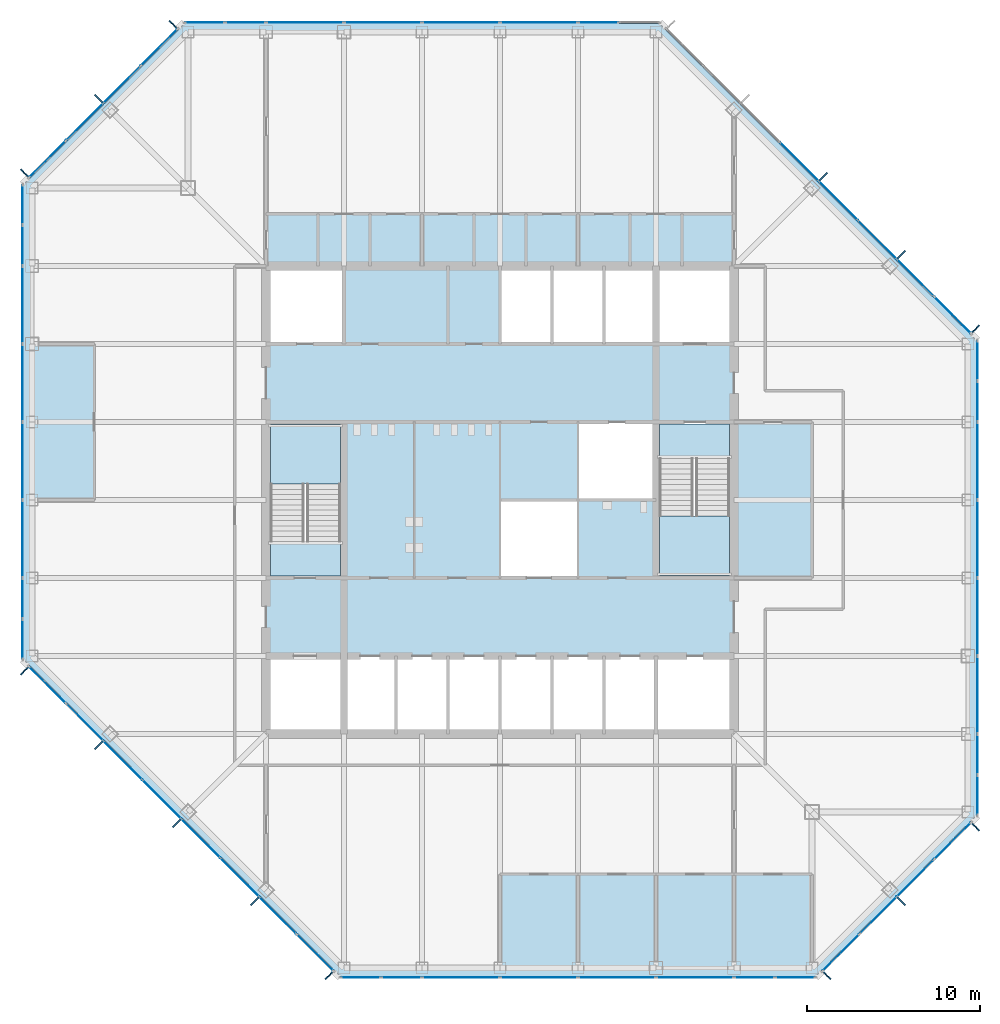
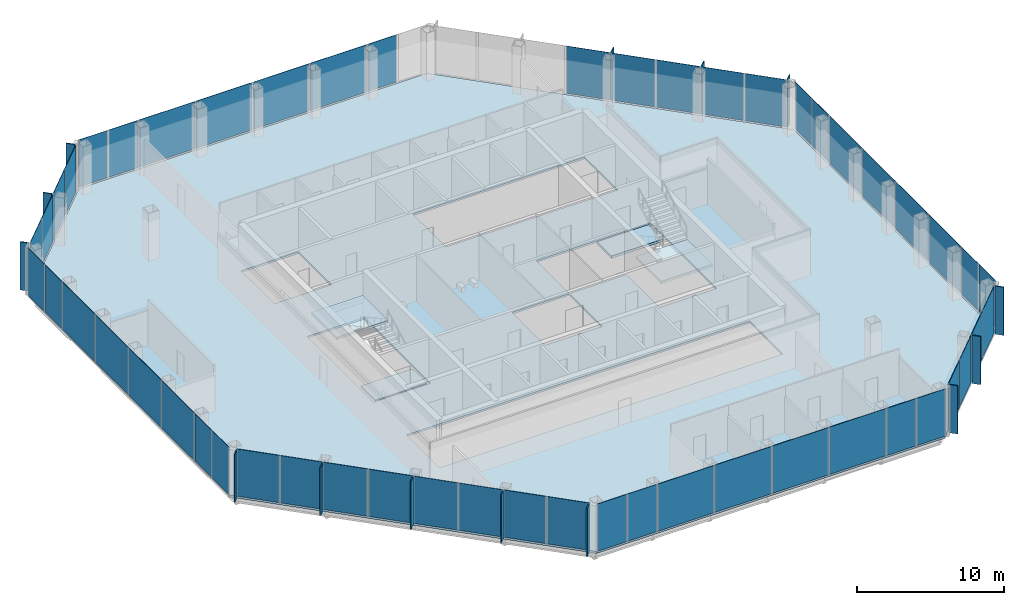
# One storey, part 7 of 12: 66 plates, 5 slabs, 10 elements without a shape of their own.
"""IFC4 building model written with IfcOpenShell, lengths in metres."""

from ifc_helpers import new_model, si_unit, direction, frame, origin, origin_2d, place, context, subcontext, project, spatial, polyline, rectangle, outline, extrude, material, layer, layer_set, type_object, element, aggregate, save


model = new_model("IFC4")

# Units and contexts
model_context = context("Model", 3, precision=1e-05, world=origin(), true_north=direction((0.0, 1.0)))
body_context = subcontext(model_context, "Body", "Model", "MODEL_VIEW")
ifc_project = project(units=[si_unit("LENGTHUNIT", "METRE"), si_unit("AREAUNIT", "SQUARE_METRE"), si_unit("VOLUMEUNIT", "CUBIC_METRE"), si_unit("PLANEANGLEUNIT", "RADIAN"), si_unit("MASSUNIT", "GRAM", prefix="KILO")], contexts=[model_context])

# Site, building, storey
site_placement = place(None, origin())
site = spatial("IfcSite", under=ifc_project, at=site_placement, CompositionType="ELEMENT")
building_placement = place(site_placement, origin())
building = spatial("IfcBuilding", under=site, at=building_placement, Name="Corais Broadcast Tower", CompositionType="ELEMENT")
storey_placement = place(building_placement, frame((0.0, 0.0, 163.60009765625)))
storey = spatial("IfcBuildingStorey", under=building, at=storey_placement, Name="L37", CompositionType="ELEMENT", Elevation=163.60009765625)

# Slab
ifc_material_1 = material(Name="Concrete C30/37", Category="concrete")
ifc_layer_1 = layer(ifc_material_1, 0.159912109375)
ifc_layer_set_1 = layer_set([ifc_layer_1], Name="Concrete C30/37")
slab_type_1 = type_object("IfcSlabType", Name="Composite floor slab 160", PredefinedType="FLOOR", material=ifc_layer_set_1)
slab_1_placement = place(storey_placement, frame((0.0, 0.0, -0.16015625)))
element("IfcSlab", 1, at=slab_1_placement, inside=storey, type_object=slab_type_1, Name="S160 floor slab L37", PredefinedType="FLOOR", context=body_context, shape_type="SweptSolid", body=[
    extrude(outline(polyline([(17.80126953125, -0.47998046875), (-0.47998046875, 17.80126953125), (-0.47998046875, 45.19873046875), (8.80126953125, 54.47998046875), (36.19873046875, 54.47998046875), (54.47998046875, 36.19873046875), (54.47998046875, 8.80126953125), (45.19873046875, -0.47998046875), (17.80126953125, -0.47998046875)]), holes=[polyline([(13.5, 18.0), (40.5, 18.0), (40.5, 13.5), (13.5, 13.5), (13.5, 18.0)]), polyline([(18.0, 22.5), (13.5, 22.5), (13.5, 31.5), (18.0, 31.5), (18.0, 22.5)]), polyline([(18.0, 36.0), (13.5, 36.0), (13.5, 40.5), (18.0, 40.5), (18.0, 36.0)]), polyline([(31.5, 22.5), (27.0, 22.5), (27.0, 27.0), (31.4951171875, 27.0), (31.4951171875, 27.0048828125), (31.5, 27.0048828125), (31.5, 31.5), (40.5, 31.5), (40.5, 22.5), (36.0, 22.5), (36.0, 27.0), (31.5048828125, 27.0), (31.5048828125, 26.9951171875), (31.5, 26.9951171875), (31.5, 22.5)]), polyline([(27.0, 40.5), (40.5, 40.5), (40.5, 36.0), (27.0, 36.0), (27.0, 40.5)])]), origin(), (0.0, 0.0, 1.0), 0.16015625),
])

# Curtain wall, plates
ifc_material_2 = material(Name="Aluminium and glass", Category="aluminium")
curtain_wall_type = type_object("IfcCurtainWallType", Name="Unitised fritted curtain wall CW2", PredefinedType="NOTDEFINED", material=ifc_material_2)
curtain_wall_1_placement = place(storey_placement, origin())
curtain_wall_1 = element("IfcCurtainWall", 2, at=curtain_wall_1_placement, inside=storey, type_object=curtain_wall_type, Name="CW2 curtain wall L37 1", PredefinedType="NOTDEFINED")
ifc_material_3 = material(Name="Ceramic-fritted laminated glass", Category="glass")
ifc_layer_2 = layer(ifc_material_3, 0.028076171875)
ifc_layer_set_2 = layer_set([ifc_layer_2], Name="Ceramic-fritted laminated glass")
plate_type_1 = type_object("IfcPlateType", Name="Fritted glass panel CW2", PredefinedType="CURTAIN_PANEL", material=ifc_layer_set_2)
plate_1_placement = place(storey_placement, frame((16.330322265625, 0.891845703125, 0.06494140625), z_axis=(0.0, 0.0, 1.0), x_axis=(-0.707106781187, 0.707106781187, 0.0)))
plate_1 = element("IfcPlate", 3, at=plate_1_placement, type_object=plate_type_1, Name="CW2 panel 1", PredefinedType="CURTAIN_PANEL", context=body_context, shape_type="SweptSolid", body=[
    extrude(rectangle(XDim=2.9482421875, YDim=0.028076171875, at=origin_2d()), origin(), (0.0, 0.0, 1.0), 3.93505859375),
])
plate_2_placement = place(storey_placement, frame((11.986083984375, 5.236083984375, 0.06494140625), z_axis=(0.0, 0.0, 1.0), x_axis=(-0.707106781187, 0.707106781187, 0.0)))
plate_2 = element("IfcPlate", 4, at=plate_2_placement, type_object=plate_type_1, Name="CW2 panel 3", PredefinedType="CURTAIN_PANEL", context=body_context, shape_type="SweptSolid", body=[
    extrude(rectangle(XDim=3.116943359375, YDim=0.028076171875, at=origin_2d()), origin(), (0.0, 0.0, 1.0), 3.93505859375),
])
plate_3_placement = place(storey_placement, frame((7.486083984375, 9.736083984375, 0.06494140625), z_axis=(0.0, 0.0, 1.0), x_axis=(-0.707106781187, 0.707106781187, 0.0)))
plate_3 = element("IfcPlate", 5, at=plate_3_placement, type_object=plate_type_1, Name="CW2 panel 5", PredefinedType="CURTAIN_PANEL", context=body_context, shape_type="SweptSolid", body=[
    extrude(rectangle(XDim=3.116943359375, YDim=0.028076171875, at=origin_2d()), origin(), (0.0, 0.0, 1.0), 3.93505859375),
])
plate_4_placement = place(storey_placement, frame((3.0341796875, 14.18798828125, 0.06494140625), z_axis=(0.0, 0.0, 1.0), x_axis=(-0.707106781187, 0.707106781187, 0.0)))
plate_4 = element("IfcPlate", 6, at=plate_4_placement, type_object=plate_type_1, Name="CW2 panel 7", PredefinedType="CURTAIN_PANEL", context=body_context, shape_type="SweptSolid", body=[
    extrude(rectangle(XDim=2.98095703125, YDim=0.028076171875, at=origin_2d()), origin(), (0.0, 0.0, 1.0), 3.93505859375),
])

curtain_wall_2_placement = place(storey_placement, origin())
curtain_wall_2 = element("IfcCurtainWall", 7, at=curtain_wall_2_placement, inside=storey, type_object=curtain_wall_type, Name="CW2 curtain wall L37 2", PredefinedType="NOTDEFINED")
plate_5_placement = place(storey_placement, frame((-0.550048828125, 18.970458984375, 0.06494140625), z_axis=(0.0, 0.0, 1.0), x_axis=(0.0, 1.0, 0.0)))
plate_5 = element("IfcPlate", 8, at=plate_5_placement, type_object=plate_type_1, Name="CW2 panel 1", PredefinedType="CURTAIN_PANEL", context=body_context, shape_type="SweptSolid", body=[
    extrude(rectangle(XDim=2.266357421875, YDim=0.028076171875, at=origin_2d()), origin(), (0.0, 0.0, 1.0), 3.93505859375),
])
plate_6_placement = place(storey_placement, frame((-0.550048828125, 24.75, 0.06494140625), z_axis=(0.0, 0.0, 1.0), x_axis=(0.0, 1.0, 0.0)))
plate_6 = element("IfcPlate", 9, at=plate_6_placement, type_object=plate_type_1, Name="CW2 panel 3", PredefinedType="CURTAIN_PANEL", context=body_context, shape_type="SweptSolid", body=[
    extrude(rectangle(XDim=4.43505859375, YDim=0.028076171875, at=origin_2d()), origin(), (0.0, 0.0, 1.0), 3.93505859375),
])
plate_7_placement = place(storey_placement, frame((-0.550048828125, 33.75, 0.06494140625), z_axis=(0.0, 0.0, 1.0), x_axis=(0.0, 1.0, 0.0)))
plate_7 = element("IfcPlate", 10, at=plate_7_placement, type_object=plate_type_1, Name="CW2 panel 5", PredefinedType="CURTAIN_PANEL", context=body_context, shape_type="SweptSolid", body=[
    extrude(rectangle(XDim=4.43505859375, YDim=0.028076171875, at=origin_2d()), origin(), (0.0, 0.0, 1.0), 3.93505859375),
])
plate_8_placement = place(storey_placement, frame((-0.550048828125, 41.681884765625, 0.06494140625), z_axis=(0.0, 0.0, 1.0), x_axis=(0.0, 1.0, 0.0)))
plate_8 = element("IfcPlate", 11, at=plate_8_placement, type_object=plate_type_1, Name="CW2 panel 7", PredefinedType="CURTAIN_PANEL", context=body_context, shape_type="SweptSolid", body=[
    extrude(rectangle(XDim=2.298828125, YDim=0.028076171875, at=origin_2d()), origin(), (0.0, 0.0, 1.0), 3.93505859375),
])

curtain_wall_3_placement = place(storey_placement, origin())
curtain_wall_3 = element("IfcCurtainWall", 12, at=curtain_wall_3_placement, inside=storey, type_object=curtain_wall_type, Name="CW2 curtain wall L37 3", PredefinedType="NOTDEFINED")
plate_9_placement = place(storey_placement, frame((0.891845703125, 46.669677734375, 0.06494140625), z_axis=(0.0, 0.0, 1.0), x_axis=(0.707106781187, 0.707106781187, 0.0)))
plate_9 = element("IfcPlate", 13, at=plate_9_placement, type_object=plate_type_1, Name="CW2 panel 1", PredefinedType="CURTAIN_PANEL", context=body_context, shape_type="SweptSolid", body=[
    extrude(rectangle(XDim=2.9482421875, YDim=0.028076171875, at=origin_2d()), origin(), (0.0, 0.0, 1.0), 3.93505859375),
])
plate_10_placement = place(storey_placement, frame((5.18798828125, 50.9658203125, 0.06494140625), z_axis=(0.0, 0.0, 1.0), x_axis=(0.707106781187, 0.707106781187, 0.0)))
plate_10 = element("IfcPlate", 14, at=plate_10_placement, type_object=plate_type_1, Name="CW2 panel 3", PredefinedType="CURTAIN_PANEL", context=body_context, shape_type="SweptSolid", body=[
    extrude(rectangle(XDim=2.98095703125, YDim=0.028076171875, at=origin_2d()), origin(), (0.0, 0.0, 1.0), 3.93505859375),
])

curtain_wall_4_placement = place(storey_placement, origin())
curtain_wall_4 = element("IfcCurtainWall", 15, at=curtain_wall_4_placement, inside=storey, type_object=curtain_wall_type, Name="CW2 curtain wall L37 4", PredefinedType="NOTDEFINED")
plate_11_placement = place(storey_placement, frame((9.970458984375, 54.550048828125, 0.06494140625), z_axis=(0.0, 0.0, 1.0), x_axis=(1.0, 0.0, 0.0)))
plate_11 = element("IfcPlate", 16, at=plate_11_placement, type_object=plate_type_1, Name="CW2 panel 1", PredefinedType="CURTAIN_PANEL", context=body_context, shape_type="SweptSolid", body=[
    extrude(rectangle(XDim=2.266357421875, YDim=0.028076171875, at=origin_2d()), origin(), (0.0, 0.0, 1.0), 3.93505859375),
])
plate_12_placement = place(storey_placement, frame((15.75, 54.550048828125, 0.06494140625), z_axis=(0.0, 0.0, 1.0), x_axis=(1.0, 0.0, 0.0)))
plate_12 = element("IfcPlate", 17, at=plate_12_placement, type_object=plate_type_1, Name="CW2 panel 3", PredefinedType="CURTAIN_PANEL", context=body_context, shape_type="SweptSolid", body=[
    extrude(rectangle(XDim=4.43505859375, YDim=0.028076171875, at=origin_2d()), origin(), (0.0, 0.0, 1.0), 3.93505859375),
])
plate_13_placement = place(storey_placement, frame((24.75, 54.550048828125, 0.06494140625), z_axis=(0.0, 0.0, 1.0), x_axis=(1.0, 0.0, 0.0)))
plate_13 = element("IfcPlate", 18, at=plate_13_placement, type_object=plate_type_1, Name="CW2 panel 5", PredefinedType="CURTAIN_PANEL", context=body_context, shape_type="SweptSolid", body=[
    extrude(rectangle(XDim=4.43505859375, YDim=0.028076171875, at=origin_2d()), origin(), (0.0, 0.0, 1.0), 3.93505859375),
])
plate_14_placement = place(storey_placement, frame((32.681884765625, 54.550048828125, 0.06494140625), z_axis=(0.0, 0.0, 1.0), x_axis=(1.0, 0.0, 0.0)))
plate_14 = element("IfcPlate", 19, at=plate_14_placement, type_object=plate_type_1, Name="CW2 panel 7", PredefinedType="CURTAIN_PANEL", context=body_context, shape_type="SweptSolid", body=[
    extrude(rectangle(XDim=2.298828125, YDim=0.028076171875, at=origin_2d()), origin(), (0.0, 0.0, 1.0), 3.93505859375),
])

curtain_wall_5_placement = place(storey_placement, origin())
curtain_wall_5 = element("IfcCurtainWall", 20, at=curtain_wall_5_placement, inside=storey, type_object=curtain_wall_type, Name="CW2 curtain wall L37 5", PredefinedType="NOTDEFINED")
plate_15_placement = place(storey_placement, frame((46.513916015625, 44.263916015625, 0.06494140625), z_axis=(0.0, 0.0, 1.0), x_axis=(0.707106781187, -0.707106781187, 0.0)))
plate_15 = element("IfcPlate", 21, at=plate_15_placement, type_object=plate_type_1, Name="CW2 panel 5", PredefinedType="CURTAIN_PANEL", context=body_context, shape_type="SweptSolid", body=[
    extrude(rectangle(XDim=3.116943359375, YDim=0.028076171875, at=origin_2d()), origin(), (0.0, 0.0, 1.0), 3.93505859375),
])
plate_16_placement = place(storey_placement, frame((50.9658203125, 39.81201171875, 0.06494140625), z_axis=(0.0, 0.0, 1.0), x_axis=(0.707106781187, -0.707106781187, 0.0)))
plate_16 = element("IfcPlate", 22, at=plate_16_placement, type_object=plate_type_1, Name="CW2 panel 7", PredefinedType="CURTAIN_PANEL", context=body_context, shape_type="SweptSolid", body=[
    extrude(rectangle(XDim=2.98095703125, YDim=0.028076171875, at=origin_2d()), origin(), (0.0, 0.0, 1.0), 3.93505859375),
])

curtain_wall_6_placement = place(storey_placement, origin())
curtain_wall_6 = element("IfcCurtainWall", 23, at=curtain_wall_6_placement, inside=storey, type_object=curtain_wall_type, Name="CW2 curtain wall L37 6", PredefinedType="NOTDEFINED")
plate_17_placement = place(storey_placement, frame((54.550048828125, 35.029541015625, 0.06494140625), z_axis=(0.0, 0.0, 1.0), x_axis=(0.0, -1.0, 0.0)))
plate_17 = element("IfcPlate", 24, at=plate_17_placement, type_object=plate_type_1, Name="CW2 panel 1", PredefinedType="CURTAIN_PANEL", context=body_context, shape_type="SweptSolid", body=[
    extrude(rectangle(XDim=2.266357421875, YDim=0.028076171875, at=origin_2d()), origin(), (0.0, 0.0, 1.0), 3.93505859375),
])
plate_18_placement = place(storey_placement, frame((54.550048828125, 29.25, 0.06494140625), z_axis=(0.0, 0.0, 1.0), x_axis=(0.0, -1.0, 0.0)))
plate_18 = element("IfcPlate", 25, at=plate_18_placement, type_object=plate_type_1, Name="CW2 panel 3", PredefinedType="CURTAIN_PANEL", context=body_context, shape_type="SweptSolid", body=[
    extrude(rectangle(XDim=4.43505859375, YDim=0.028076171875, at=origin_2d()), origin(), (0.0, 0.0, 1.0), 3.93505859375),
])
plate_19_placement = place(storey_placement, frame((54.550048828125, 20.25, 0.06494140625), z_axis=(0.0, 0.0, 1.0), x_axis=(0.0, -1.0, 0.0)))
plate_19 = element("IfcPlate", 26, at=plate_19_placement, type_object=plate_type_1, Name="CW2 panel 5", PredefinedType="CURTAIN_PANEL", context=body_context, shape_type="SweptSolid", body=[
    extrude(rectangle(XDim=4.43505859375, YDim=0.028076171875, at=origin_2d()), origin(), (0.0, 0.0, 1.0), 3.93505859375),
])
plate_20_placement = place(storey_placement, frame((54.550048828125, 12.318115234375, 0.06494140625), z_axis=(0.0, 0.0, 1.0), x_axis=(0.0, -1.0, 0.0)))
plate_20 = element("IfcPlate", 27, at=plate_20_placement, type_object=plate_type_1, Name="CW2 panel 7", PredefinedType="CURTAIN_PANEL", context=body_context, shape_type="SweptSolid", body=[
    extrude(rectangle(XDim=2.298828125, YDim=0.028076171875, at=origin_2d()), origin(), (0.0, 0.0, 1.0), 3.93505859375),
])

curtain_wall_7_placement = place(storey_placement, origin())
curtain_wall_7 = element("IfcCurtainWall", 28, at=curtain_wall_7_placement, inside=storey, type_object=curtain_wall_type, Name="CW2 curtain wall L37 7", PredefinedType="NOTDEFINED")
plate_21_placement = place(storey_placement, frame((53.108154296875, 7.330322265625, 0.06494140625), z_axis=(0.0, 0.0, 1.0), x_axis=(-0.707106781187, -0.707106781187, 0.0)))
plate_21 = element("IfcPlate", 29, at=plate_21_placement, type_object=plate_type_1, Name="CW2 panel 1", PredefinedType="CURTAIN_PANEL", context=body_context, shape_type="SweptSolid", body=[
    extrude(rectangle(XDim=2.9482421875, YDim=0.028076171875, at=origin_2d()), origin(), (0.0, 0.0, 1.0), 3.93505859375),
])
plate_22_placement = place(storey_placement, frame((48.81201171875, 3.0341796875, 0.06494140625), z_axis=(0.0, 0.0, 1.0), x_axis=(-0.707106781187, -0.707106781187, 0.0)))
plate_22 = element("IfcPlate", 30, at=plate_22_placement, type_object=plate_type_1, Name="CW2 panel 3", PredefinedType="CURTAIN_PANEL", context=body_context, shape_type="SweptSolid", body=[
    extrude(rectangle(XDim=2.98095703125, YDim=0.028076171875, at=origin_2d()), origin(), (0.0, 0.0, 1.0), 3.93505859375),
])

curtain_wall_8_placement = place(storey_placement, origin())
curtain_wall_8 = element("IfcCurtainWall", 31, at=curtain_wall_8_placement, inside=storey, type_object=curtain_wall_type, Name="CW2 curtain wall L37 8", PredefinedType="NOTDEFINED")
plate_23_placement = place(storey_placement, frame((44.029541015625, -0.550048828125, 0.06494140625), z_axis=(0.0, 0.0, 1.0), x_axis=(-1.0, 0.0, 0.0)))
plate_23 = element("IfcPlate", 32, at=plate_23_placement, type_object=plate_type_1, Name="CW2 panel 1", PredefinedType="CURTAIN_PANEL", context=body_context, shape_type="SweptSolid", body=[
    extrude(rectangle(XDim=2.266357421875, YDim=0.028076171875, at=origin_2d()), origin(), (0.0, 0.0, 1.0), 3.93505859375),
])
plate_24_placement = place(storey_placement, frame((38.25, -0.550048828125, 0.06494140625), z_axis=(0.0, 0.0, 1.0), x_axis=(-1.0, 0.0, 0.0)))
plate_24 = element("IfcPlate", 33, at=plate_24_placement, type_object=plate_type_1, Name="CW2 panel 3", PredefinedType="CURTAIN_PANEL", context=body_context, shape_type="SweptSolid", body=[
    extrude(rectangle(XDim=4.43505859375, YDim=0.028076171875, at=origin_2d()), origin(), (0.0, 0.0, 1.0), 3.93505859375),
])
plate_25_placement = place(storey_placement, frame((29.25, -0.550048828125, 0.06494140625), z_axis=(0.0, 0.0, 1.0), x_axis=(-1.0, 0.0, 0.0)))
plate_25 = element("IfcPlate", 34, at=plate_25_placement, type_object=plate_type_1, Name="CW2 panel 5", PredefinedType="CURTAIN_PANEL", context=body_context, shape_type="SweptSolid", body=[
    extrude(rectangle(XDim=4.43505859375, YDim=0.028076171875, at=origin_2d()), origin(), (0.0, 0.0, 1.0), 3.93505859375),
])
plate_26_placement = place(storey_placement, frame((21.318115234375, -0.550048828125, 0.06494140625), z_axis=(0.0, 0.0, 1.0), x_axis=(-1.0, 0.0, 0.0)))
plate_26 = element("IfcPlate", 35, at=plate_26_placement, type_object=plate_type_1, Name="CW2 panel 7", PredefinedType="CURTAIN_PANEL", context=body_context, shape_type="SweptSolid", body=[
    extrude(rectangle(XDim=2.298828125, YDim=0.028076171875, at=origin_2d()), origin(), (0.0, 0.0, 1.0), 3.93505859375),
])

# Plate
ifc_material_4 = material(Name="Clear laminated glass", Category="glass")
ifc_layer_3 = layer(ifc_material_4, 0.031982421875)
ifc_layer_set_3 = layer_set([ifc_layer_3], Name="Clear laminated glass")
plate_type_2 = type_object("IfcPlateType", Name="Operable glass panel CW2", PredefinedType="CURTAIN_PANEL", material=ifc_layer_set_3)
plate_27_placement = place(storey_placement, frame((14.18798828125, 3.0341796875, 0.06494140625), z_axis=(0.0, 0.0, 1.0), x_axis=(-0.707106781187, 0.707106781187, 0.0)))
plate_27 = element("IfcPlate", 36, at=plate_27_placement, type_object=plate_type_2, Name="CW2 operable panel 2", PredefinedType="CURTAIN_PANEL", context=body_context, shape_type="SweptSolid", body=[
    extrude(rectangle(XDim=2.98095703125, YDim=0.031982421875, at=origin_2d()), origin(), (0.0, 0.0, 1.0), 3.93505859375),
])

plate_28_placement = place(storey_placement, frame((9.736083984375, 7.486083984375, 0.06494140625), z_axis=(0.0, 0.0, 1.0), x_axis=(-0.707106781187, 0.707106781187, 0.0)))
plate_28 = element("IfcPlate", 37, at=plate_28_placement, type_object=plate_type_2, Name="CW2 operable panel 4", PredefinedType="CURTAIN_PANEL", context=body_context, shape_type="SweptSolid", body=[
    extrude(rectangle(XDim=3.116943359375, YDim=0.031982421875, at=origin_2d()), origin(), (0.0, 0.0, 1.0), 3.93505859375),
])

plate_29_placement = place(storey_placement, frame((5.236083984375, 11.986083984375, 0.06494140625), z_axis=(0.0, 0.0, 1.0), x_axis=(-0.707106781187, 0.707106781187, 0.0)))
plate_29 = element("IfcPlate", 38, at=plate_29_placement, type_object=plate_type_2, Name="CW2 operable panel 6", PredefinedType="CURTAIN_PANEL", context=body_context, shape_type="SweptSolid", body=[
    extrude(rectangle(XDim=3.116943359375, YDim=0.031982421875, at=origin_2d()), origin(), (0.0, 0.0, 1.0), 3.93505859375),
])

plate_30_placement = place(storey_placement, frame((0.89208984375, 16.330322265625, 0.06494140625), z_axis=(0.0, 0.0, 1.0), x_axis=(-0.707106781187, 0.707106781187, 0.0)))
plate_30 = element("IfcPlate", 39, at=plate_30_placement, type_object=plate_type_2, Name="CW2 operable panel 8", PredefinedType="CURTAIN_PANEL", context=body_context, shape_type="SweptSolid", body=[
    extrude(rectangle(XDim=2.948486328125, YDim=0.031982421875, at=origin_2d()), origin(), (0.0, 0.0, 1.0), 3.93505859375),
])

aggregate(curtain_wall_1, [plate_1, plate_27, plate_2, plate_28, plate_3, plate_29, plate_4, plate_30])

plate_31_placement = place(storey_placement, frame((-0.550048828125, 21.318115234375, 0.06494140625), z_axis=(0.0, 0.0, 1.0), x_axis=(0.0, 1.0, 0.0)))
plate_31 = element("IfcPlate", 40, at=plate_31_placement, type_object=plate_type_2, Name="CW2 operable panel 2", PredefinedType="CURTAIN_PANEL", context=body_context, shape_type="SweptSolid", body=[
    extrude(rectangle(XDim=2.298828125, YDim=0.031982421875, at=origin_2d()), origin(), (0.0, 0.0, 1.0), 3.93505859375),
])

plate_32_placement = place(storey_placement, frame((-0.550048828125, 29.25, 0.06494140625), z_axis=(0.0, 0.0, 1.0), x_axis=(0.0, 1.0, 0.0)))
plate_32 = element("IfcPlate", 41, at=plate_32_placement, type_object=plate_type_2, Name="CW2 operable panel 4", PredefinedType="CURTAIN_PANEL", context=body_context, shape_type="SweptSolid", body=[
    extrude(rectangle(XDim=4.43505859375, YDim=0.031982421875, at=origin_2d()), origin(), (0.0, 0.0, 1.0), 3.93505859375),
])

plate_33_placement = place(storey_placement, frame((-0.550048828125, 38.25, 0.06494140625), z_axis=(0.0, 0.0, 1.0), x_axis=(0.0, 1.0, 0.0)))
plate_33 = element("IfcPlate", 42, at=plate_33_placement, type_object=plate_type_2, Name="CW2 operable panel 6", PredefinedType="CURTAIN_PANEL", context=body_context, shape_type="SweptSolid", body=[
    extrude(rectangle(XDim=4.43505859375, YDim=0.031982421875, at=origin_2d()), origin(), (0.0, 0.0, 1.0), 3.93505859375),
])

plate_34_placement = place(storey_placement, frame((-0.550048828125, 44.029541015625, 0.06494140625), z_axis=(0.0, 0.0, 1.0), x_axis=(0.0, 1.0, 0.0)))
plate_34 = element("IfcPlate", 43, at=plate_34_placement, type_object=plate_type_2, Name="CW2 operable panel 8", PredefinedType="CURTAIN_PANEL", context=body_context, shape_type="SweptSolid", body=[
    extrude(rectangle(XDim=2.266357421875, YDim=0.031982421875, at=origin_2d()), origin(), (0.0, 0.0, 1.0), 3.93505859375),
])

aggregate(curtain_wall_2, [plate_5, plate_31, plate_6, plate_32, plate_7, plate_33, plate_8, plate_34])

plate_35_placement = place(storey_placement, frame((3.0341796875, 48.81201171875, 0.06494140625), z_axis=(0.0, 0.0, 1.0), x_axis=(0.707106781187, 0.707106781187, 0.0)))
plate_35 = element("IfcPlate", 44, at=plate_35_placement, type_object=plate_type_2, Name="CW2 operable panel 2", PredefinedType="CURTAIN_PANEL", context=body_context, shape_type="SweptSolid", body=[
    extrude(rectangle(XDim=2.98095703125, YDim=0.031982421875, at=origin_2d()), origin(), (0.0, 0.0, 1.0), 3.93505859375),
])

plate_36_placement = place(storey_placement, frame((7.330322265625, 53.10791015625, 0.06494140625), z_axis=(0.0, 0.0, 1.0), x_axis=(0.707106781187, 0.707106781187, 0.0)))
plate_36 = element("IfcPlate", 45, at=plate_36_placement, type_object=plate_type_2, Name="CW2 operable panel 4", PredefinedType="CURTAIN_PANEL", context=body_context, shape_type="SweptSolid", body=[
    extrude(rectangle(XDim=2.948486328125, YDim=0.031982421875, at=origin_2d()), origin(), (0.0, 0.0, 1.0), 3.93505859375),
])

aggregate(curtain_wall_3, [plate_9, plate_35, plate_10, plate_36])

plate_37_placement = place(storey_placement, frame((12.318115234375, 54.550048828125, 0.06494140625), z_axis=(0.0, 0.0, 1.0), x_axis=(1.0, 0.0, 0.0)))
plate_37 = element("IfcPlate", 46, at=plate_37_placement, type_object=plate_type_2, Name="CW2 operable panel 2", PredefinedType="CURTAIN_PANEL", context=body_context, shape_type="SweptSolid", body=[
    extrude(rectangle(XDim=2.298828125, YDim=0.031982421875, at=origin_2d()), origin(), (0.0, 0.0, 1.0), 3.93505859375),
])

plate_38_placement = place(storey_placement, frame((20.25, 54.550048828125, 0.06494140625), z_axis=(0.0, 0.0, 1.0), x_axis=(1.0, 0.0, 0.0)))
plate_38 = element("IfcPlate", 47, at=plate_38_placement, type_object=plate_type_2, Name="CW2 operable panel 4", PredefinedType="CURTAIN_PANEL", context=body_context, shape_type="SweptSolid", body=[
    extrude(rectangle(XDim=4.43505859375, YDim=0.031982421875, at=origin_2d()), origin(), (0.0, 0.0, 1.0), 3.93505859375),
])

plate_39_placement = place(storey_placement, frame((29.25, 54.550048828125, 0.06494140625), z_axis=(0.0, 0.0, 1.0), x_axis=(1.0, 0.0, 0.0)))
plate_39 = element("IfcPlate", 48, at=plate_39_placement, type_object=plate_type_2, Name="CW2 operable panel 6", PredefinedType="CURTAIN_PANEL", context=body_context, shape_type="SweptSolid", body=[
    extrude(rectangle(XDim=4.43505859375, YDim=0.031982421875, at=origin_2d()), origin(), (0.0, 0.0, 1.0), 3.93505859375),
])

aggregate(curtain_wall_4, [plate_11, plate_37, plate_12, plate_38, plate_13, plate_39, plate_14])

plate_40_placement = place(storey_placement, frame((44.263916015625, 46.513916015625, 0.06494140625), z_axis=(0.0, 0.0, 1.0), x_axis=(0.707106781187, -0.707106781187, 0.0)))
plate_40 = element("IfcPlate", 49, at=plate_40_placement, type_object=plate_type_2, Name="CW2 operable panel 4", PredefinedType="CURTAIN_PANEL", context=body_context, shape_type="SweptSolid", body=[
    extrude(rectangle(XDim=3.116943359375, YDim=0.031982421875, at=origin_2d()), origin(), (0.0, 0.0, 1.0), 3.93505859375),
])

plate_41_placement = place(storey_placement, frame((48.763916015625, 42.013916015625, 0.06494140625), z_axis=(0.0, 0.0, 1.0), x_axis=(0.707106781187, -0.707106781187, 0.0)))
plate_41 = element("IfcPlate", 50, at=plate_41_placement, type_object=plate_type_2, Name="CW2 operable panel 6", PredefinedType="CURTAIN_PANEL", context=body_context, shape_type="SweptSolid", body=[
    extrude(rectangle(XDim=3.116943359375, YDim=0.031982421875, at=origin_2d()), origin(), (0.0, 0.0, 1.0), 3.93505859375),
])

plate_42_placement = place(storey_placement, frame((53.10791015625, 37.669677734375, 0.06494140625), z_axis=(0.0, 0.0, 1.0), x_axis=(0.707106781187, -0.707106781187, 0.0)))
plate_42 = element("IfcPlate", 51, at=plate_42_placement, type_object=plate_type_2, Name="CW2 operable panel 8", PredefinedType="CURTAIN_PANEL", context=body_context, shape_type="SweptSolid", body=[
    extrude(rectangle(XDim=2.948486328125, YDim=0.031982421875, at=origin_2d()), origin(), (0.0, 0.0, 1.0), 3.93505859375),
])

aggregate(curtain_wall_5, [plate_40, plate_15, plate_41, plate_16, plate_42])

plate_43_placement = place(storey_placement, frame((54.550048828125, 32.681884765625, 0.06494140625), z_axis=(0.0, 0.0, 1.0), x_axis=(0.0, -1.0, 0.0)))
plate_43 = element("IfcPlate", 52, at=plate_43_placement, type_object=plate_type_2, Name="CW2 operable panel 2", PredefinedType="CURTAIN_PANEL", context=body_context, shape_type="SweptSolid", body=[
    extrude(rectangle(XDim=2.298828125, YDim=0.031982421875, at=origin_2d()), origin(), (0.0, 0.0, 1.0), 3.93505859375),
])

plate_44_placement = place(storey_placement, frame((54.550048828125, 24.75, 0.06494140625), z_axis=(0.0, 0.0, 1.0), x_axis=(0.0, -1.0, 0.0)))
plate_44 = element("IfcPlate", 53, at=plate_44_placement, type_object=plate_type_2, Name="CW2 operable panel 4", PredefinedType="CURTAIN_PANEL", context=body_context, shape_type="SweptSolid", body=[
    extrude(rectangle(XDim=4.43505859375, YDim=0.031982421875, at=origin_2d()), origin(), (0.0, 0.0, 1.0), 3.93505859375),
])

plate_45_placement = place(storey_placement, frame((54.550048828125, 15.75, 0.06494140625), z_axis=(0.0, 0.0, 1.0), x_axis=(0.0, -1.0, 0.0)))
plate_45 = element("IfcPlate", 54, at=plate_45_placement, type_object=plate_type_2, Name="CW2 operable panel 6", PredefinedType="CURTAIN_PANEL", context=body_context, shape_type="SweptSolid", body=[
    extrude(rectangle(XDim=4.43505859375, YDim=0.031982421875, at=origin_2d()), origin(), (0.0, 0.0, 1.0), 3.93505859375),
])

plate_46_placement = place(storey_placement, frame((54.550048828125, 9.970458984375, 0.06494140625), z_axis=(0.0, 0.0, 1.0), x_axis=(0.0, -1.0, 0.0)))
plate_46 = element("IfcPlate", 55, at=plate_46_placement, type_object=plate_type_2, Name="CW2 operable panel 8", PredefinedType="CURTAIN_PANEL", context=body_context, shape_type="SweptSolid", body=[
    extrude(rectangle(XDim=2.266357421875, YDim=0.031982421875, at=origin_2d()), origin(), (0.0, 0.0, 1.0), 3.93505859375),
])

aggregate(curtain_wall_6, [plate_17, plate_43, plate_18, plate_44, plate_19, plate_45, plate_20, plate_46])

plate_47_placement = place(storey_placement, frame((50.9658203125, 5.18798828125, 0.06494140625), z_axis=(0.0, 0.0, 1.0), x_axis=(-0.707106781187, -0.707106781187, 0.0)))
plate_47 = element("IfcPlate", 56, at=plate_47_placement, type_object=plate_type_2, Name="CW2 operable panel 2", PredefinedType="CURTAIN_PANEL", context=body_context, shape_type="SweptSolid", body=[
    extrude(rectangle(XDim=2.98095703125, YDim=0.031982421875, at=origin_2d()), origin(), (0.0, 0.0, 1.0), 3.93505859375),
])

plate_48_placement = place(storey_placement, frame((46.669677734375, 0.89208984375, 0.06494140625), z_axis=(0.0, 0.0, 1.0), x_axis=(-0.707106781187, -0.707106781187, 0.0)))
plate_48 = element("IfcPlate", 57, at=plate_48_placement, type_object=plate_type_2, Name="CW2 operable panel 4", PredefinedType="CURTAIN_PANEL", context=body_context, shape_type="SweptSolid", body=[
    extrude(rectangle(XDim=2.948486328125, YDim=0.031982421875, at=origin_2d()), origin(), (0.0, 0.0, 1.0), 3.93505859375),
])

aggregate(curtain_wall_7, [plate_21, plate_47, plate_22, plate_48])

plate_49_placement = place(storey_placement, frame((41.681884765625, -0.550048828125, 0.06494140625), z_axis=(0.0, 0.0, 1.0), x_axis=(-1.0, 0.0, 0.0)))
plate_49 = element("IfcPlate", 58, at=plate_49_placement, type_object=plate_type_2, Name="CW2 operable panel 2", PredefinedType="CURTAIN_PANEL", context=body_context, shape_type="SweptSolid", body=[
    extrude(rectangle(XDim=2.298828125, YDim=0.031982421875, at=origin_2d()), origin(), (0.0, 0.0, 1.0), 3.93505859375),
])

plate_50_placement = place(storey_placement, frame((33.75, -0.550048828125, 0.06494140625), z_axis=(0.0, 0.0, 1.0), x_axis=(-1.0, 0.0, 0.0)))
plate_50 = element("IfcPlate", 59, at=plate_50_placement, type_object=plate_type_2, Name="CW2 operable panel 4", PredefinedType="CURTAIN_PANEL", context=body_context, shape_type="SweptSolid", body=[
    extrude(rectangle(XDim=4.43505859375, YDim=0.031982421875, at=origin_2d()), origin(), (0.0, 0.0, 1.0), 3.93505859375),
])

plate_51_placement = place(storey_placement, frame((24.75, -0.550048828125, 0.06494140625), z_axis=(0.0, 0.0, 1.0), x_axis=(-1.0, 0.0, 0.0)))
plate_51 = element("IfcPlate", 60, at=plate_51_placement, type_object=plate_type_2, Name="CW2 operable panel 6", PredefinedType="CURTAIN_PANEL", context=body_context, shape_type="SweptSolid", body=[
    extrude(rectangle(XDim=4.43505859375, YDim=0.031982421875, at=origin_2d()), origin(), (0.0, 0.0, 1.0), 3.93505859375),
])

plate_52_placement = place(storey_placement, frame((18.970458984375, -0.550048828125, 0.06494140625), z_axis=(0.0, 0.0, 1.0), x_axis=(-1.0, 0.0, 0.0)))
plate_52 = element("IfcPlate", 61, at=plate_52_placement, type_object=plate_type_2, Name="CW2 operable panel 8", PredefinedType="CURTAIN_PANEL", context=body_context, shape_type="SweptSolid", body=[
    extrude(rectangle(XDim=2.266357421875, YDim=0.031982421875, at=origin_2d()), origin(), (0.0, 0.0, 1.0), 3.93505859375),
])

aggregate(curtain_wall_8, [plate_23, plate_49, plate_24, plate_50, plate_25, plate_51, plate_26, plate_52])

# Stair, slabs
ifc_material_5 = material(Name="Concrete C30/37", Category="concrete")
stair_type = type_object("IfcStairType", Name="Half-turn stair 4000", PredefinedType="HALF_TURN_STAIR", material=ifc_material_5)
stair_1_placement = place(storey_placement, origin())
stair_1 = element("IfcStair", 62, at=stair_1_placement, inside=storey, type_object=stair_type, Name="Stair A L37", PredefinedType="HALF_TURN_STAIR")
ifc_material_6 = material(Name="Concrete C30/37", Category="concrete")
ifc_layer_4 = layer(ifc_material_6, 0.199951171875)
ifc_layer_set_4 = layer_set([ifc_layer_4], Name="Concrete C30/37")
slab_type_2 = type_object("IfcSlabType", Name="Stair landing 200", PredefinedType="LANDING", material=ifc_layer_set_4)
slab_2_placement = place(storey_placement, frame((0.0, 0.0, -0.2001953125)))
slab_2 = element("IfcSlab", 63, at=slab_2_placement, type_object=slab_type_2, Name="STA landing 1", PredefinedType="LANDING", context=body_context, shape_type="SweptSolid", body=[
    extrude(outline(polyline([(13.75, 22.625), (17.800048828125, 22.625), (17.800048828125, 24.60009765625), (13.75, 24.60009765625), (13.75, 22.625)])), origin(), (0.0, 0.0, 1.0), 0.2001953125),
])
slab_3_placement = place(storey_placement, frame((0.0, 0.0, 1.7998046875)))
slab_3 = element("IfcSlab", 64, at=slab_3_placement, type_object=slab_type_2, Name="STA landing 2", PredefinedType="LANDING", context=body_context, shape_type="SweptSolid", body=[
    extrude(outline(polyline([(13.75, 27.922119140625), (17.800048828125, 27.922119140625), (17.800048828125, 31.375), (13.75, 31.375), (13.75, 27.922119140625)])), origin(), (0.0, 0.0, 1.0), 0.2001953125),
])
aggregate(stair_1, [slab_2, slab_3])

stair_2_placement = place(storey_placement, origin())
stair_2 = element("IfcStair", 65, at=stair_2_placement, inside=storey, type_object=stair_type, Name="Stair B L37", PredefinedType="HALF_TURN_STAIR")
slab_4_placement = place(storey_placement, frame((0.0, 0.0, -0.2001953125)))
slab_4 = element("IfcSlab", 66, at=slab_4_placement, type_object=slab_type_2, Name="STB landing 1", PredefinedType="LANDING", context=body_context, shape_type="SweptSolid", body=[
    extrude(outline(polyline([(36.199951171875, 29.39990234375), (40.25, 29.39990234375), (40.25, 31.375), (36.199951171875, 31.375), (36.199951171875, 29.39990234375)])), origin(), (0.0, 0.0, 1.0), 0.2001953125),
])
slab_5_placement = place(storey_placement, frame((0.0, 0.0, 1.7998046875)))
slab_5 = element("IfcSlab", 67, at=slab_5_placement, type_object=slab_type_2, Name="STB landing 2", PredefinedType="LANDING", context=body_context, shape_type="SweptSolid", body=[
    extrude(outline(polyline([(36.199951171875, 22.625), (40.25, 22.625), (40.25, 26.077880859375), (36.199951171875, 26.077880859375), (36.199951171875, 22.625)])), origin(), (0.0, 0.0, 1.0), 0.2001953125),
])
aggregate(stair_2, [slab_4, slab_5])

# Plates
ifc_material_7 = material(Name="Granite stone cladding", Category="masonry")
ifc_layer_5 = layer(ifc_material_7, 0.080078125)
ifc_layer_set_5 = layer_set([ifc_layer_5], Name="Granite stone cladding")
plate_type_3 = type_object("IfcPlateType", Name="Stone screen fin 80x600", PredefinedType="USERDEFINED", material=ifc_layer_set_5)
for number, where, z_axis, x_axis, name in (
    (68, (17.1220703125, -0.447021484375, 0.0), (0.0, 0.0, 1.0), (-0.707106781187, 0.707106781187, 0.0), "SF1 stone screen fin L37"),
    (69, (12.83740234375, 3.83740234375, 0.0), (0.0, 0.0, 1.0), (-0.707106781187, 0.707106781187, 0.0), "SF1 stone screen fin L37"),
    (70, (8.33740234375, 8.33740234375, 0.0), (0.0, 0.0, 1.0), (-0.707106781187, 0.707106781187, 0.0), "SF1 stone screen fin L37"),
    (71, (3.83740234375, 12.83740234375, 0.0), (0.0, 0.0, 1.0), (-0.707106781187, 0.707106781187, 0.0), "SF1 stone screen fin L37"),
    (72, (-0.447021484375, 17.1220703125, 0.0), (0.0, 0.0, 1.0), (-0.707106781187, 0.707106781187, 0.0), "SF1 stone screen fin L37"),
    (73, (-0.447021484375, 45.8779296875, 0.0), (0.0, 0.0, 1.0), (0.707106781187, 0.707106781187, 0.0), "SF1 stone screen fin L37"),
    (74, (3.83740234375, 50.16259765625, 0.0), (0.0, 0.0, 1.0), (0.707106781187, 0.707106781187, 0.0), "SF1 stone screen fin L37"),
    (75, (8.1220703125, 54.447021484375, 0.0), (0.0, 0.0, 1.0), (0.707106781187, 0.707106781187, 0.0), "SF1 stone screen fin L37"),
    (76, (45.66259765625, 45.66259765625, 0.0), (0.0, 0.0, 1.0), (0.707106781187, -0.707106781187, 0.0), "SF1 stone screen fin L37"),
    (77, (50.16259765625, 41.16259765625, 0.0), (0.0, 0.0, 1.0), (0.707106781187, -0.707106781187, 0.0), "SF1 stone screen fin L37"),
    (78, (54.447021484375, 36.8779296875, 0.0), (0.0, 0.0, 1.0), (0.707106781187, -0.707106781187, 0.0), "SF1 stone screen fin L37"),
    (79, (54.447021484375, 8.1220703125, 0.0), (0.0, 0.0, 1.0), (-0.707106781187, -0.707106781187, 0.0), "SF1 stone screen fin L37"),
    (80, (50.16259765625, 3.83740234375, 0.0), (0.0, 0.0, 1.0), (-0.707106781187, -0.707106781187, 0.0), "SF1 stone screen fin L37"),
    (81, (45.8779296875, -0.447021484375, 0.0), (0.0, 0.0, 1.0), (-0.707106781187, -0.707106781187, 0.0), "SF1 stone screen fin L37"),
):
    element("IfcPlate", number, at=place(storey_placement, frame(where, z_axis=z_axis, x_axis=x_axis)), inside=storey, type_object=plate_type_3, Name=name, ObjectType="STONE SCREEN FIN", PredefinedType="USERDEFINED", context=body_context, shape_type="SweptSolid", body=[
        extrude(rectangle(XDim=0.080078125, YDim=0.60009765625, at=origin_2d()), origin(), (0.0, 0.0, 1.0), 4.0),
    ])

save(model, "model.ifc")
